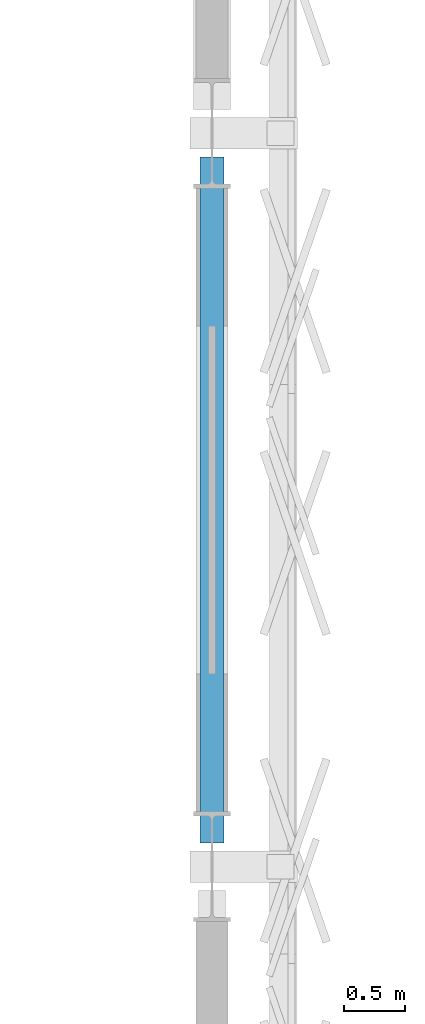
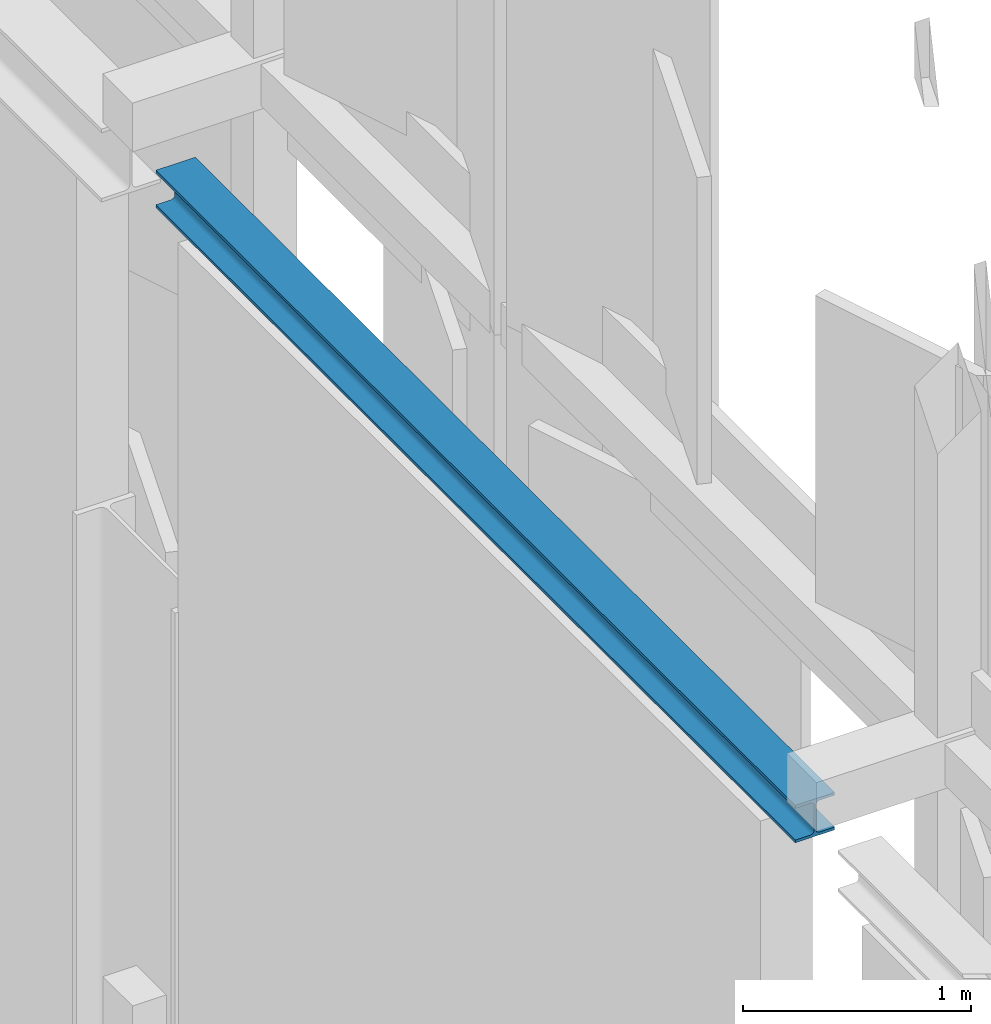
# One storey, part 87 of 210: 1 beam.
"""IFC4 building model written with IfcOpenShell, lengths in metres."""

from ifc_helpers import new_model, si_unit, direction, frame, origin, origin_2d, place, context, subcontext, project, spatial, i_section, extrude, material, material_profile, profile_set, type_object, element, save


model = new_model("IFC4")

# Units and contexts
model_context = context("Model", 3, precision=1e-05, world=origin(), true_north=direction((0.0, 1.0)))
body_context = subcontext(model_context, "Body", "Model", "MODEL_VIEW")
ifc_project = project(units=[si_unit("LENGTHUNIT", "METRE"), si_unit("AREAUNIT", "SQUARE_METRE"), si_unit("VOLUMEUNIT", "CUBIC_METRE"), si_unit("PLANEANGLEUNIT", "RADIAN"), si_unit("MASSUNIT", "GRAM", prefix="KILO")], contexts=[model_context])

# Site, building, storey
site_placement = place(None, origin())
site = spatial("IfcSite", under=ifc_project, at=site_placement, CompositionType="ELEMENT")
building_placement = place(site_placement, origin())
building = spatial("IfcBuilding", under=site, at=building_placement, Name="Kaldris Quays Convention Centre", CompositionType="ELEMENT")
storey_placement = place(building_placement, frame((0.0, 0.0, 6.0)))
storey = spatial("IfcBuildingStorey", under=building, at=storey_placement, Name="L01", CompositionType="ELEMENT", Elevation=6.0)

# Beam
ifc_material = material(Name="Steel S355J2", Category="steel")
ifc_material_profile = material_profile(ifc_material, i_section(OverallWidth=0.199951171875, OverallDepth=0.199951171875, WebThickness=0.009033203125, FlangeThickness=0.014892578125, FilletRadius=0.01806640625, at=origin_2d()), Name="HEB 200")
ifc_profile_set = profile_set([ifc_material_profile], Name="Steel S355J2")
beam_type = type_object("IfcBeamType", Name="STRUCTURAL BEAM SP06", PredefinedType="SPANDREL", material=ifc_profile_set)
beam_placement = place(storey_placement, frame((146.0, 122.195068359375, 7.5), z_axis=(0.0, 1.0, 0.0), x_axis=(-1.0, 0.0, 0.0)))
element("IfcBeam", 1, at=beam_placement, inside=storey, type_object=beam_type, Name="L01 Perimeter Wall-Bearing Spandrel SP06 66", PredefinedType="SPANDREL", context=body_context, shape_type="SweptSolid", body=[
    extrude(i_section(OverallWidth=0.199951171875, OverallDepth=0.199951171875, WebThickness=0.009033203125, FlangeThickness=0.014892578125, FilletRadius=0.01806640625, at=origin_2d()), origin(), (0.0, 0.0, 1.0), 5.60986328125),
])

save(model, "model.ifc")
